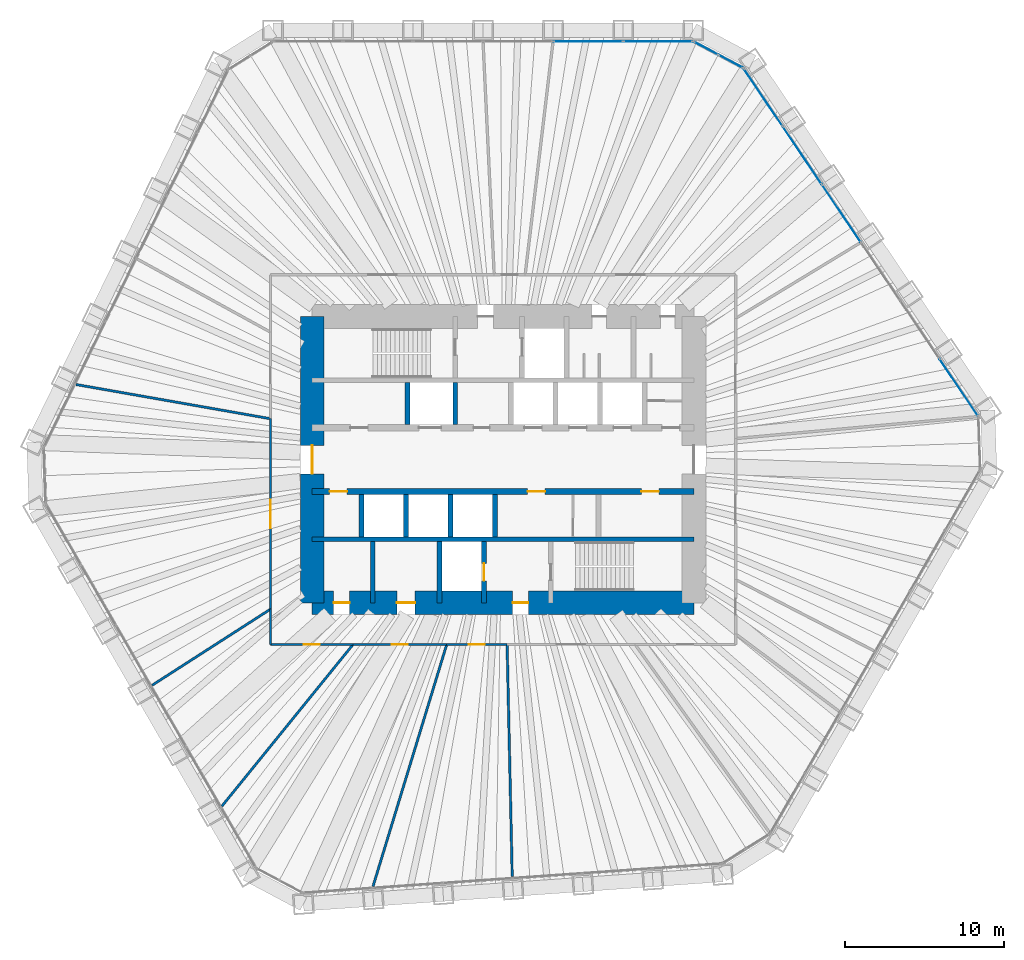
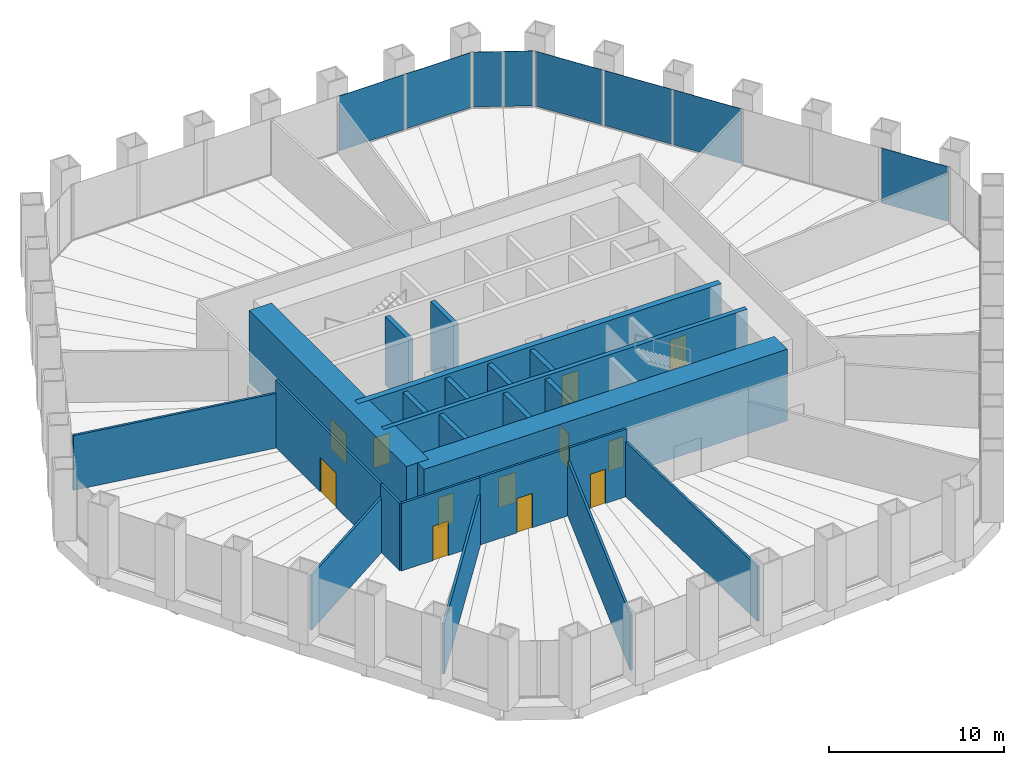
# One storey, part 10 of 13: 23 walls, 12 doors, 8 plates, 12 openings, 3 elements without a shape of their own.
"""IFC4 building model written with IfcOpenShell, lengths in metres."""

from ifc_helpers import new_model, si_unit, direction, frame, frame_2d, origin, origin_2d, place, context, subcontext, project, spatial, rectangle, extrude, material, layer, layer_set, type_object, element, fill, aggregate, save


model = new_model("IFC4")

# Units and contexts
model_context = context("Model", 3, precision=1e-05, world=origin(), true_north=direction((0.0, 1.0)))
body_context = subcontext(model_context, "Body", "Model", "MODEL_VIEW")
ifc_project = project(units=[si_unit("LENGTHUNIT", "METRE"), si_unit("AREAUNIT", "SQUARE_METRE"), si_unit("VOLUMEUNIT", "CUBIC_METRE"), si_unit("PLANEANGLEUNIT", "RADIAN"), si_unit("MASSUNIT", "GRAM", prefix="KILO")], contexts=[model_context])

# Site, building, storey
site_placement = place(None, origin())
site = spatial("IfcSite", under=ifc_project, at=site_placement, CompositionType="ELEMENT")
building_placement = place(site_placement, origin())
building = spatial("IfcBuilding", under=site, at=building_placement, Name="Qingtian Harvest Tower", CompositionType="ELEMENT")
storey_placement = place(building_placement, frame((0.0, 0.0, 92.0)))
storey = spatial("IfcBuildingStorey", under=building, at=storey_placement, Name="L18", CompositionType="ELEMENT", Elevation=92.0)

# Curtain wall, plates
ifc_material_1 = material(Name="Bronze-anodised aluminium curtain wall", Category="aluminium")
curtain_wall_type = type_object("IfcCurtainWallType", Name="Curtain wall CW2 farm reception", PredefinedType="USERDEFINED", material=ifc_material_1)
curtain_wall_1_placement = place(storey_placement, origin())
curtain_wall_1 = element("IfcCurtainWall", 1, at=curtain_wall_1_placement, inside=storey, type_object=curtain_wall_type, Name="Curtain wall CW2 L18 N0-5", ObjectType="RECESSED CURTAIN WALL", PredefinedType="USERDEFINED")
ifc_material_2 = material(Name="Bronze-tinted laminated insulating glass", Category="glass")
ifc_layer_1 = layer(ifc_material_2, 0.030029296875)
ifc_layer_set_1 = layer_set([ifc_layer_1], Name="Glazed panel CWP tinted IGU")
plate_type = type_object("IfcPlateType", Name="Glazed panel CWP tinted IGU", PredefinedType="CURTAIN_PANEL", material=ifc_layer_set_1)
plate_1_placement = place(storey_placement, frame((5.349365234375, 26.300048828125, 0.06494140625), z_axis=(0.0, 0.0, 1.0), x_axis=(1.0, 0.0, 0.0)))
plate_1 = element("IfcPlate", 2, at=plate_1_placement, type_object=plate_type, Name="CW2 panel 5.1", PredefinedType="CURTAIN_PANEL", context=body_context, shape_type="SweptSolid", body=[
    extrude(rectangle(XDim=4.339599609375, YDim=0.030029296875, at=origin_2d()), origin(), (0.0, 0.0, 1.0), 3.8349609375),
])
plate_2_placement = place(storey_placement, frame((9.737548828125, 26.300048828125, 0.06494140625), z_axis=(0.0, 0.0, 1.0), x_axis=(1.0, 0.0, 0.0)))
plate_2 = element("IfcPlate", 3, at=plate_2_placement, type_object=plate_type, Name="CW2 panel 6.1", PredefinedType="CURTAIN_PANEL", context=body_context, shape_type="SweptSolid", body=[
    extrude(rectangle(XDim=4.30712890625, YDim=0.030029296875, at=origin_2d()), origin(), (0.0, 0.0, 1.0), 3.8349609375),
])
aggregate(curtain_wall_1, [plate_1, plate_2])

curtain_wall_2_placement = place(storey_placement, origin())
curtain_wall_2 = element("IfcCurtainWall", 4, at=curtain_wall_2_placement, inside=storey, type_object=curtain_wall_type, Name="Curtain wall CW2 L18 NC", ObjectType="RECESSED CURTAIN WALL", PredefinedType="USERDEFINED")
plate_3_placement = place(storey_placement, frame((12.760986328125, 25.8720703125, 0.06494140625), z_axis=(0.0, 0.0, 1.0), x_axis=(0.882947592859, -0.469471562786, 0.0)))
plate_3 = element("IfcPlate", 5, at=plate_3_placement, type_object=plate_type, Name="CW2 panel 1.1", PredefinedType="CURTAIN_PANEL", context=body_context, shape_type="SweptSolid", body=[
    extrude(rectangle(XDim=1.69287109375, YDim=0.030029296875, at=origin_2d()), origin(), (0.0, 0.0, 1.0), 3.8349609375),
])
plate_4_placement = place(storey_placement, frame((14.31298828125, 25.046875, 0.06494140625), z_axis=(0.0, 0.0, 1.0), x_axis=(0.882947592859, -0.469471562786, 0.0)))
plate_4 = element("IfcPlate", 6, at=plate_4_placement, type_object=plate_type, Name="CW2 panel 2.1", PredefinedType="CURTAIN_PANEL", context=body_context, shape_type="SweptSolid", body=[
    extrude(rectangle(XDim=1.69287109375, YDim=0.030029296875, at=origin_2d()), origin(), (0.0, 0.0, 1.0), 3.8349609375),
])
aggregate(curtain_wall_2, [plate_3, plate_4])

curtain_wall_3_placement = place(storey_placement, origin())
curtain_wall_3 = element("IfcCurtainWall", 7, at=curtain_wall_3_placement, inside=storey, type_object=curtain_wall_type, Name="Curtain wall CW2 L18 NE0-5", ObjectType="RECESSED CURTAIN WALL", PredefinedType="USERDEFINED")
plate_5_placement = place(storey_placement, frame((16.3583984375, 22.779541015625, 0.06494140625), z_axis=(0.0, 0.0, 1.0), x_axis=(0.559192903471, -0.829037572555, 0.0)))
plate_5 = element("IfcPlate", 8, at=plate_5_placement, type_object=plate_type, Name="CW2 panel 1.1", PredefinedType="CURTAIN_PANEL", context=body_context, shape_type="SweptSolid", body=[
    extrude(rectangle(XDim=4.30712890625, YDim=0.030029296875, at=origin_2d()), origin(), (0.0, 0.0, 1.0), 3.8349609375),
])
plate_6_placement = place(storey_placement, frame((18.8125, 19.1416015625, 0.06494140625), z_axis=(0.0, 0.0, 1.0), x_axis=(0.559192903471, -0.829037572555, 0.0)))
plate_6 = element("IfcPlate", 9, at=plate_6_placement, type_object=plate_type, Name="CW2 panel 2.1", PredefinedType="CURTAIN_PANEL", context=body_context, shape_type="SweptSolid", body=[
    extrude(rectangle(XDim=4.339599609375, YDim=0.030029296875, at=origin_2d()), origin(), (0.0, 0.0, 1.0), 3.8349609375),
])
plate_7_placement = place(storey_placement, frame((21.275390625, 15.489990234375, 0.06494140625), z_axis=(0.0, 0.0, 1.0), x_axis=(0.559192903471, -0.829037572555, 0.0)))
plate_7 = element("IfcPlate", 10, at=plate_7_placement, type_object=plate_type, Name="CW2 panel 3.1", PredefinedType="CURTAIN_PANEL", context=body_context, shape_type="SweptSolid", body=[
    extrude(rectangle(XDim=4.339599609375, YDim=0.030029296875, at=origin_2d()), origin(), (0.0, 0.0, 1.0), 3.8349609375),
])
plate_8_placement = place(storey_placement, frame((28.655517578125, 4.548583984375, 0.06494140625), z_axis=(0.0, 0.0, 1.0), x_axis=(0.559192903471, -0.829037572555, 0.0)))
plate_8 = element("IfcPlate", 11, at=plate_8_placement, type_object=plate_type, Name="CW2 panel 6.1", PredefinedType="CURTAIN_PANEL", context=body_context, shape_type="SweptSolid", body=[
    extrude(rectangle(XDim=4.30712890625, YDim=0.030029296875, at=origin_2d()), origin(), (0.0, 0.0, 1.0), 3.8349609375),
])
aggregate(curtain_wall_3, [plate_5, plate_6, plate_7, plate_8])

# Wall
ifc_material_3 = material(Name="Concrete fc' 70 MPa", Category="concrete")
ifc_layer_2 = layer(ifc_material_3, 0.300048828125)
ifc_layer_set_2 = layer_set([ifc_layer_2], Name="Core inner wall RC5 300")
wall_type_1 = type_object("IfcWallType", Name="Core inner wall RC5 300", PredefinedType="SHEAR", material=ifc_layer_set_2)
wall_1_placement = place(storey_placement, frame((-12.0, -5.0, 0.0), z_axis=(0.0, 0.0, 1.0), x_axis=(1.0, 0.0, 0.0)))
element("IfcWall", 12, at=wall_1_placement, inside=storey, type_object=wall_type_1, Name="Core wall IS5 L18", PredefinedType="SHEAR", context=body_context, shape_type="SweptSolid", body=[
    extrude(rectangle(XDim=24.0, YDim=0.300048828125, at=frame_2d((12.0, 0.0))), origin(), (0.0, 0.0, 1.0), 5.0),
])

# Wall, openings, doors
ifc_material_4 = material(Name="Concrete fc' 70 MPa", Category="concrete")
ifc_layer_3 = layer(ifc_material_4, 0.39990234375)
ifc_layer_set_3 = layer_set([ifc_layer_3], Name="Core inner web RC6 400")
wall_type_2 = type_object("IfcWallType", Name="Core inner web RC6 400", PredefinedType="SHEAR", material=ifc_layer_set_3)
wall_2_placement = place(storey_placement, frame((-12.0, -2.0, 0.0), z_axis=(0.0, 0.0, 1.0), x_axis=(1.0, 0.0, 0.0)))
wall_2 = element("IfcWall", 13, at=wall_2_placement, inside=storey, type_object=wall_type_2, Name="Core wall IS2 L18", PredefinedType="SHEAR", context=body_context, shape_type="SweptSolid", body=[
    extrude(rectangle(XDim=24.0, YDim=0.39990234375, at=frame_2d((12.0, 0.0))), origin(), (0.0, 0.0, 1.0), 5.0),
])
opening_1_placement = place(wall_2_placement, frame((1.10009765625, 0.0, 0.0)))
opening_1 = element("IfcOpeningElement", 14, at=opening_1_placement, cuts=wall_2, Name="Opening FD4", PredefinedType="OPENING", context=body_context, shape_type="SweptSolid", body=[
    extrude(rectangle(XDim=1.10009765625, YDim=2.10009765625, at=frame_2d((0.550048828125, 1.050048828125))), frame((0.0, 0.2099609375, 0.0), z_axis=(0.0, -1.0, 0.0), x_axis=(1.0, 0.0, 0.0)), (0.0, 0.0, 1.0), 0.419921875),
])
opening_2_placement = place(wall_2_placement, frame((13.550048828125, 0.0, 0.0)))
opening_2 = element("IfcOpeningElement", 15, at=opening_2_placement, cuts=wall_2, Name="Opening FD4", PredefinedType="OPENING", context=body_context, shape_type="SweptSolid", body=[
    extrude(rectangle(XDim=1.10009765625, YDim=2.10009765625, at=frame_2d((0.550048828125, 1.050048828125))), frame((0.0, 0.2099609375, 0.0), z_axis=(0.0, -1.0, 0.0), x_axis=(1.0, 0.0, 0.0)), (0.0, 0.0, 1.0), 0.419921875),
])
opening_3_placement = place(wall_2_placement, frame((20.699951171875, 0.0, 0.0)))
opening_3 = element("IfcOpeningElement", 16, at=opening_3_placement, cuts=wall_2, Name="Opening FD4", PredefinedType="OPENING", context=body_context, shape_type="SweptSolid", body=[
    extrude(rectangle(XDim=1.10009765625, YDim=2.10009765625, at=frame_2d((0.550048828125, 1.050048828125))), frame((0.0, 0.2099609375, 0.0), z_axis=(0.0, -1.0, 0.0), x_axis=(1.0, 0.0, 0.0)), (0.0, 0.0, 1.0), 0.419921875),
])
ifc_material_5 = material(Name="Steel-faced door leaf", Category="steel")
door_type_1 = type_object("IfcDoorType", Name="Fire door FD4 single 2 HR", OperationType="SINGLE_SWING_LEFT", PredefinedType="DOOR", material=ifc_material_5)
door_1_placement = place(opening_1_placement, origin())
door_1 = element("IfcDoor", 17, at=door_1_placement, inside=storey, type_object=door_type_1, Name="RB door L18", OperationType="SINGLE_SWING_LEFT", OverallHeight=2.10009765625, OverallWidth=1.10009765625, PredefinedType="DOOR", context=body_context, shape_type="SweptSolid", body=[
    extrude(rectangle(XDim=1.10009765625, YDim=2.10009765625, at=frame_2d((0.550048828125, 1.050048828125))), frame((0.0, 0.02490234375, 0.0), z_axis=(0.0, -1.0, 0.0), x_axis=(1.0, 0.0, 0.0)), (0.0, 0.0, 1.0), 0.050048828125),
])
fill(opening_1, door_1)
door_2_placement = place(opening_2_placement, origin())
door_2 = element("IfcDoor", 18, at=door_2_placement, inside=storey, type_object=door_type_1, Name="ELEC door L18", OperationType="SINGLE_SWING_LEFT", OverallHeight=2.10009765625, OverallWidth=1.10009765625, PredefinedType="DOOR", context=body_context, shape_type="SweptSolid", body=[
    extrude(rectangle(XDim=1.10009765625, YDim=2.10009765625, at=frame_2d((0.550048828125, 1.050048828125))), frame((0.0, 0.02490234375, 0.0), z_axis=(0.0, -1.0, 0.0), x_axis=(1.0, 0.0, 0.0)), (0.0, 0.0, 1.0), 0.050048828125),
])
fill(opening_2, door_2)
door_3_placement = place(opening_3_placement, origin())
door_3 = element("IfcDoor", 19, at=door_3_placement, inside=storey, type_object=door_type_1, Name="DUCT door L18", OperationType="SINGLE_SWING_RIGHT", OverallHeight=2.10009765625, OverallWidth=1.10009765625, PredefinedType="DOOR", context=body_context, shape_type="SweptSolid", body=[
    extrude(rectangle(XDim=1.10009765625, YDim=2.10009765625, at=frame_2d((0.550048828125, 1.050048828125))), frame((0.0, 0.02490234375, 0.0), z_axis=(0.0, -1.0, 0.0), x_axis=(1.0, 0.0, 0.0)), (0.0, 0.0, 1.0), 0.050048828125),
])
fill(opening_3, door_3)

# Walls
ifc_material_6 = material(Name="Precast concrete shaft panel", Category="concrete")
ifc_layer_4 = layer(ifc_material_6, 0.300048828125)
ifc_layer_set_4 = layer_set([ifc_layer_4], Name="Core shaft partition SW1 300")
wall_type_3 = type_object("IfcWallType", Name="Core shaft partition SW1 300", PredefinedType="PARTITIONING", material=ifc_layer_set_4)
for number, where, z_axis, x_axis, name in (
    (20, (-6.0, 2.199951171875, 0.0), (0.0, 0.0, 1.0), (0.0, 1.0, 0.0), "Core shaft partition XA1 L18"),
    (21, (-3.0, 2.199951171875, 0.0), (0.0, 0.0, 1.0), (0.0, 1.0, 0.0), "Core shaft partition XA2 L18"),
    (22, (-8.89990234375, -4.85009765625, 0.0), (0.0, 0.0, 1.0), (0.0, 1.0, 0.0), "Core shaft partition XB1 L18"),
    (23, (-6.10009765625, -4.85009765625, 0.0), (0.0, 0.0, 1.0), (0.0, 1.0, 0.0), "Core shaft partition XB2 L18"),
    (24, (-3.300048828125, -4.85009765625, 0.0), (0.0, 0.0, 1.0), (0.0, 1.0, 0.0), "Core shaft partition XB3 L18"),
    (25, (-0.5, -4.85009765625, 0.0), (0.0, 0.0, 1.0), (0.0, 1.0, 0.0), "Core shaft partition XB4 L18"),
):
    element("IfcWall", number, at=place(storey_placement, frame(where, z_axis=z_axis, x_axis=x_axis)), inside=storey, type_object=wall_type_3, Name=name, PredefinedType="PARTITIONING", context=body_context, shape_type="SweptSolid", body=[
        extrude(rectangle(XDim=2.650146484375, YDim=0.300048828125, at=frame_2d((1.3251953125, 0.0))), origin(), (0.0, 0.0, 1.0), 4.780029296875),
    ])
for number, where, z_axis, x_axis, name in (
    (26, (-8.199951171875, -9.0, 0.0), (0.0, 0.0, 1.0), (0.0, 1.0, 0.0), "Core shaft partition XS1 L18"),
    (27, (-4.0, -9.0, 0.0), (0.0, 0.0, 1.0), (0.0, 1.0, 0.0), "Core shaft partition XS2 L18"),
):
    element("IfcWall", number, at=place(storey_placement, frame(where, z_axis=z_axis, x_axis=x_axis)), inside=storey, type_object=wall_type_3, Name=name, PredefinedType="PARTITIONING", context=body_context, shape_type="SweptSolid", body=[
        extrude(rectangle(XDim=3.85009765625, YDim=0.300048828125, at=frame_2d((1.925048828125, 0.0))), origin(), (0.0, 0.0, 1.0), 4.780029296875),
    ])

# Wall, opening, door
wall_3_placement = place(storey_placement, frame((-1.199951171875, -9.0, 0.0), z_axis=(0.0, 0.0, 1.0), x_axis=(0.0, 1.0, 0.0)))
wall_3 = element("IfcWall", 28, at=wall_3_placement, inside=storey, type_object=wall_type_3, Name="Core shaft partition XS3 L18", PredefinedType="PARTITIONING", context=body_context, shape_type="SweptSolid", body=[
    extrude(rectangle(XDim=3.85009765625, YDim=0.300048828125, at=frame_2d((1.925048828125, 0.0))), origin(), (0.0, 0.0, 1.0), 4.780029296875),
])
opening_4_placement = place(wall_3_placement, frame((1.375, 0.0, 0.0)))
opening_4 = element("IfcOpeningElement", 29, at=opening_4_placement, cuts=wall_3, Name="Opening LD1", PredefinedType="OPENING", context=body_context, shape_type="SweptSolid", body=[
    extrude(rectangle(XDim=1.10009765625, YDim=2.39990234375, at=frame_2d((0.550048828125, 1.199951171875))), frame((0.0, 0.159912109375, 0.0), z_axis=(0.0, -1.0, 0.0), x_axis=(1.0, 0.0, 0.0)), (0.0, 0.0, 1.0), 0.320068359375),
])
ifc_material_7 = material(Name="Stainless steel lift landing door", Category="steel")
door_type_2 = type_object("IfcDoorType", Name="Lift landing door LD1 1 HR", OperationType="DOUBLE_DOOR_SLIDING", PredefinedType="DOOR", material=ifc_material_7)
door_4_placement = place(opening_4_placement, origin())
door_4 = element("IfcDoor", 30, at=door_4_placement, inside=storey, type_object=door_type_2, Name="FL2 landing door L18", OperationType="DOUBLE_DOOR_SLIDING", OverallHeight=2.39990234375, OverallWidth=1.10009765625, PredefinedType="DOOR", context=body_context, shape_type="SweptSolid", body=[
    extrude(rectangle(XDim=1.10009765625, YDim=2.39990234375, at=frame_2d((0.550048828125, 1.199951171875))), frame((0.0, 0.02490234375, 0.0), z_axis=(0.0, -1.0, 0.0), x_axis=(1.0, 0.0, 0.0)), (0.0, 0.0, 1.0), 0.050048828125),
])
fill(opening_4, door_4)

# Wall, openings, doors
ifc_material_8 = material(Name="Concrete fc' 70 MPa", Category="concrete")
ifc_layer_5 = layer(ifc_material_8, 1.5)
ifc_layer_set_5 = layer_set([ifc_layer_5], Name="Core wall RC1 1500")
wall_type_4 = type_object("IfcWallType", Name="Core wall RC1 1500", PredefinedType="SHEAR", material=ifc_layer_set_5)
wall_4_placement = place(storey_placement, frame((-12.0, -9.0, 0.0), z_axis=(0.0, 0.0, 1.0), x_axis=(1.0, 0.0, 0.0)))
wall_4 = element("IfcWall", 31, at=wall_4_placement, inside=storey, type_object=wall_type_4, Name="Core wall CS L18", PredefinedType="SHEAR", context=body_context, shape_type="SweptSolid", body=[
    extrude(rectangle(XDim=24.0, YDim=1.5, at=frame_2d((12.0, 0.0))), origin(), (0.0, 0.0, 1.0), 5.0),
])
opening_5_placement = place(wall_4_placement, frame((1.35009765625, 0.0, 0.0)))
opening_5 = element("IfcOpeningElement", 32, at=opening_5_placement, cuts=wall_4, Name="Opening FD1", PredefinedType="OPENING", context=body_context, shape_type="SweptSolid", body=[
    extrude(rectangle(XDim=1.0, YDim=2.10009765625, at=frame_2d((0.5, 1.050048828125))), frame((0.0, 0.760009765625, 0.0), z_axis=(0.0, -1.0, 0.0), x_axis=(1.0, 0.0, 0.0)), (0.0, 0.0, 1.0), 1.52001953125),
])
opening_6_placement = place(wall_4_placement, frame((5.324951171875, 0.0, 0.0)))
opening_6 = element("IfcOpeningElement", 33, at=opening_6_placement, cuts=wall_4, Name="Opening AD1", PredefinedType="OPENING", context=body_context, shape_type="SweptSolid", body=[
    extrude(rectangle(XDim=1.14990234375, YDim=2.10009765625, at=frame_2d((0.574951171875, 1.050048828125))), frame((0.0, 0.760009765625, 0.0), z_axis=(0.0, -1.0, 0.0), x_axis=(1.0, 0.0, 0.0)), (0.0, 0.0, 1.0), 1.52001953125),
])
opening_7_placement = place(wall_4_placement, frame((12.60009765625, 0.0, 0.0)))
opening_7 = element("IfcOpeningElement", 34, at=opening_7_placement, cuts=wall_4, Name="Opening FD1", PredefinedType="OPENING", context=body_context, shape_type="SweptSolid", body=[
    extrude(rectangle(XDim=1.0, YDim=2.10009765625, at=frame_2d((0.5, 1.050048828125))), frame((0.0, 0.760009765625, 0.0), z_axis=(0.0, -1.0, 0.0), x_axis=(1.0, 0.0, 0.0)), (0.0, 0.0, 1.0), 1.52001953125),
])
ifc_material_9 = material(Name="Laminated timber door leaf", Category="wood")
door_type_3 = type_object("IfcDoorType", Name="Accessible WC door AD1 single", OperationType="SINGLE_SWING_LEFT", PredefinedType="DOOR", material=ifc_material_9)
door_5_placement = place(opening_6_placement, origin())
door_5 = element("IfcDoor", 35, at=door_5_placement, inside=storey, type_object=door_type_3, Name="AWC door L18", OperationType="SINGLE_SWING_LEFT", OverallHeight=2.10009765625, OverallWidth=1.14990234375, PredefinedType="DOOR", context=body_context, shape_type="SweptSolid", body=[
    extrude(rectangle(XDim=1.14990234375, YDim=2.10009765625, at=frame_2d((0.574951171875, 1.050048828125))), frame((0.0, 0.02490234375, 0.0), z_axis=(0.0, -1.0, 0.0), x_axis=(1.0, 0.0, 0.0)), (0.0, 0.0, 1.0), 0.050048828125),
])
fill(opening_6, door_5)
ifc_material_10 = material(Name="Steel-faced door leaf", Category="steel")
door_type_4 = type_object("IfcDoorType", Name="Fire door FD1 single 1 HR", OperationType="SINGLE_SWING_LEFT", PredefinedType="DOOR", material=ifc_material_10)
door_6_placement = place(opening_5_placement, origin())
door_6 = element("IfcDoor", 36, at=door_6_placement, inside=storey, type_object=door_type_4, Name="CLN door L18", OperationType="SINGLE_SWING_RIGHT", OverallHeight=2.10009765625, OverallWidth=1.0, PredefinedType="DOOR", context=body_context, shape_type="SweptSolid", body=[
    extrude(rectangle(XDim=1.0, YDim=2.10009765625, at=frame_2d((0.5, 1.050048828125))), frame((0.0, 0.02490234375, 0.0), z_axis=(0.0, -1.0, 0.0), x_axis=(1.0, 0.0, 0.0)), (0.0, 0.0, 1.0), 0.050048828125),
])
fill(opening_5, door_6)
door_7_placement = place(opening_7_placement, origin())
door_7 = element("IfcDoor", 37, at=door_7_placement, inside=storey, type_object=door_type_4, Name="V2 door L18", OperationType="SINGLE_SWING_RIGHT", OverallHeight=2.10009765625, OverallWidth=1.0, PredefinedType="DOOR", context=body_context, shape_type="SweptSolid", body=[
    extrude(rectangle(XDim=1.0, YDim=2.10009765625, at=frame_2d((0.5, 1.050048828125))), frame((0.0, 0.02490234375, 0.0), z_axis=(0.0, -1.0, 0.0), x_axis=(1.0, 0.0, 0.0)), (0.0, 0.0, 1.0), 0.050048828125),
])
fill(opening_7, door_7)

# Wall, opening, door
wall_5_placement = place(storey_placement, frame((-12.0, -9.0, 0.0), z_axis=(0.0, 0.0, 1.0), x_axis=(0.0, 1.0, 0.0)))
wall_5 = element("IfcWall", 38, at=wall_5_placement, inside=storey, type_object=wall_type_4, Name="Core wall CW L18", PredefinedType="SHEAR", context=body_context, shape_type="SweptSolid", body=[
    extrude(rectangle(XDim=18.0, YDim=1.5, at=frame_2d((9.0, 0.0))), origin(), (0.0, 0.0, 1.0), 5.0),
])
opening_8_placement = place(wall_5_placement, frame((8.10009765625, 0.0, 0.0)))
opening_8 = element("IfcOpeningElement", 39, at=opening_8_placement, cuts=wall_5, Name="Opening FD2", PredefinedType="OPENING", context=body_context, shape_type="SweptSolid", body=[
    extrude(rectangle(XDim=1.800048828125, YDim=2.10009765625, at=frame_2d((0.89990234375, 1.050048828125))), frame((0.0, 0.760009765625, 0.0), z_axis=(0.0, -1.0, 0.0), x_axis=(1.0, 0.0, 0.0)), (0.0, 0.0, 1.0), 1.52001953125),
])
ifc_material_11 = material(Name="Steel-faced door leaf", Category="steel")
door_type_5 = type_object("IfcDoorType", Name="Fire door FD2 double 1 HR", OperationType="DOUBLE_DOOR_DOUBLE_SWING", PredefinedType="DOOR", material=ifc_material_11)
door_8_placement = place(opening_8_placement, origin())
door_8 = element("IfcDoor", 40, at=door_8_placement, inside=storey, type_object=door_type_5, Name="LOBBY-W door L18", OperationType="DOUBLE_DOOR_DOUBLE_SWING", OverallHeight=2.10009765625, OverallWidth=1.800048828125, PredefinedType="DOOR", context=body_context, shape_type="SweptSolid", body=[
    extrude(rectangle(XDim=1.800048828125, YDim=2.10009765625, at=frame_2d((0.89990234375, 1.050048828125))), frame((0.0, 0.02490234375, 0.0), z_axis=(0.0, -1.0, 0.0), x_axis=(1.0, 0.0, 0.0)), (0.0, 0.0, 1.0), 0.050048828125),
])
fill(opening_8, door_8)

# Wall
ifc_material_12 = material(Name="Gypsum board on steel studs", Category="steel")
ifc_layer_6 = layer(ifc_material_12, 0.14990234375)
ifc_layer_set_6 = layer_set([ifc_layer_6], Name="Partition PT1 150")
wall_type_5 = type_object("IfcWallType", Name="Partition PT1 150", PredefinedType="PARTITIONING", material=ifc_layer_set_6)
wall_6_placement = place(storey_placement, frame((-22.0634765625, -14.18505859375, 0.0), z_axis=(0.0, 0.0, 1.0), x_axis=(0.841147976126, 0.540805031651, 0.0)))
element("IfcWall", 41, at=wall_6_placement, inside=storey, type_object=wall_type_5, Name="Grower training room wall L18", PredefinedType="PARTITIONING", context=body_context, shape_type="SweptSolid", body=[
    extrude(rectangle(XDim=8.84326171875, YDim=0.14990234375, at=frame_2d((4.421630859375, 0.0))), origin(), (0.0, 0.0, 1.0), 3.820068359375),
])

# Wall, opening, door
wall_7_placement = place(storey_placement, frame((-14.625, -9.402587890625, 0.0), z_axis=(0.0, 0.0, 1.0), x_axis=(0.0, 1.0, 0.0)))
wall_7 = element("IfcWall", 42, at=wall_7_placement, inside=storey, type_object=wall_type_5, Name="Grower training room wall L18", PredefinedType="PARTITIONING", context=body_context, shape_type="SweptSolid", body=[
    extrude(rectangle(XDim=11.97607421875, YDim=0.14990234375, at=frame_2d((5.988037109375, 0.0))), origin(), (0.0, 0.0, 1.0), 4.719970703125),
])
opening_9_placement = place(wall_7_placement, frame((5.088134765625, 0.0, 0.0)))
opening_9 = element("IfcOpeningElement", 43, at=opening_9_placement, cuts=wall_7, Name="Opening D3", PredefinedType="OPENING", context=body_context, shape_type="SweptSolid", body=[
    extrude(rectangle(XDim=1.800048828125, YDim=2.39990234375, at=frame_2d((0.89990234375, 1.199951171875))), frame((0.0, 0.0849609375, 0.0), z_axis=(0.0, -1.0, 0.0), x_axis=(1.0, 0.0, 0.0)), (0.0, 0.0, 1.0), 0.169921875),
])
ifc_material_13 = material(Name="Laminated timber door leaf", Category="wood")
door_type_6 = type_object("IfcDoorType", Name="Room door D3 double", OperationType="DOUBLE_DOOR_DOUBLE_SWING", PredefinedType="DOOR", material=ifc_material_13)
door_9_placement = place(opening_9_placement, origin())
door_9 = element("IfcDoor", 44, at=door_9_placement, inside=storey, type_object=door_type_6, Name="Grower training room door L18", OperationType="DOUBLE_DOOR_DOUBLE_SWING", OverallHeight=2.39990234375, OverallWidth=1.800048828125, PredefinedType="DOOR", context=body_context, shape_type="SweptSolid", body=[
    extrude(rectangle(XDim=1.800048828125, YDim=2.39990234375, at=frame_2d((0.89990234375, 1.199951171875))), frame((0.0, 0.02490234375, 0.0), z_axis=(0.0, -1.0, 0.0), x_axis=(1.0, 0.0, 0.0)), (0.0, 0.0, 1.0), 0.050048828125),
])
fill(opening_9, door_9)

# Walls
wall_8_placement = place(storey_placement, frame((-26.85009765625, 4.724609375, 0.0), z_axis=(0.0, 0.0, 1.0), x_axis=(0.984869569104, -0.173297235559, 0.0)))
element("IfcWall", 45, at=wall_8_placement, inside=storey, type_object=wall_type_5, Name="Seminar room wall L18", PredefinedType="PARTITIONING", context=body_context, shape_type="SweptSolid", body=[
    extrude(rectangle(XDim=12.412841796875, YDim=0.14990234375, at=frame_2d((6.20654296875, 0.0))), origin(), (0.0, 0.0, 1.0), 3.820068359375),
])
wall_9_placement = place(storey_placement, frame((0.577880859375, -26.2236328125, 0.0), z_axis=(0.0, 0.0, 1.0), x_axis=(-0.02203625582, 0.999757172232, 0.0)))
element("IfcWall", 46, at=wall_9_placement, inside=storey, type_object=wall_type_5, Name="Instructors' office wall L18", PredefinedType="PARTITIONING", context=body_context, shape_type="SweptSolid", body=[
    extrude(rectangle(XDim=14.602294921875, YDim=0.14990234375, at=frame_2d((7.30126953125, 0.0))), origin(), (0.0, 0.0, 1.0), 3.820068359375),
])

# Wall, opening, door
wall_10_placement = place(storey_placement, frame((0.256103515625, -11.625, 0.0), z_axis=(0.0, 0.0, 1.0), x_axis=(-1.0, 0.0, 0.0)))
wall_10 = element("IfcWall", 47, at=wall_10_placement, inside=storey, type_object=wall_type_5, Name="Instructors' office wall L18", PredefinedType="PARTITIONING", context=body_context, shape_type="SweptSolid", body=[
    extrude(rectangle(XDim=3.798095703125, YDim=0.14990234375, at=frame_2d((1.89892578125, 0.0))), origin(), (0.0, 0.0, 1.0), 4.719970703125),
])
opening_10_placement = place(wall_10_placement, frame((1.399169921875, 0.0, 0.0)))
opening_10 = element("IfcOpeningElement", 48, at=opening_10_placement, cuts=wall_10, Name="Opening D2", PredefinedType="OPENING", context=body_context, shape_type="SweptSolid", body=[
    extrude(rectangle(XDim=1.0, YDim=2.39990234375, at=frame_2d((0.5, 1.199951171875))), frame((0.0, 0.0849609375, 0.0), z_axis=(0.0, -1.0, 0.0), x_axis=(1.0, 0.0, 0.0)), (0.0, 0.0, 1.0), 0.169921875),
])
ifc_material_14 = material(Name="Laminated timber door leaf", Category="wood")
door_type_7 = type_object("IfcDoorType", Name="Room door D2 single", OperationType="SINGLE_SWING_LEFT", PredefinedType="DOOR", material=ifc_material_14)
door_10_placement = place(opening_10_placement, origin())
door_10 = element("IfcDoor", 49, at=door_10_placement, inside=storey, type_object=door_type_7, Name="Instructors' office door L18", OperationType="SINGLE_SWING_RIGHT", OverallHeight=2.39990234375, OverallWidth=1.0, PredefinedType="DOOR", context=body_context, shape_type="SweptSolid", body=[
    extrude(rectangle(XDim=1.0, YDim=2.39990234375, at=frame_2d((0.5, 1.199951171875))), frame((0.0, 0.02490234375, 0.0), z_axis=(0.0, -1.0, 0.0), x_axis=(1.0, 0.0, 0.0)), (0.0, 0.0, 1.0), 0.050048828125),
])
fill(opening_10, door_10)

# Wall
wall_11_placement = place(storey_placement, frame((-8.1787109375, -26.842529296875, 0.0), z_axis=(0.0, 0.0, 1.0), x_axis=(0.291466333136, 0.956581087336, 0.0)))
element("IfcWall", 50, at=wall_11_placement, inside=storey, type_object=wall_type_5, Name="Harvest wash room wall L18", PredefinedType="PARTITIONING", context=body_context, shape_type="SweptSolid", body=[
    extrude(rectangle(XDim=15.908203125, YDim=0.14990234375, at=frame_2d((7.9541015625, 0.0))), origin(), (0.0, 0.0, 1.0), 3.820068359375),
])

# Wall, opening, door
wall_12_placement = place(storey_placement, frame((-3.5419921875, -11.625, 0.0), z_axis=(0.0, 0.0, 1.0), x_axis=(-1.0, 0.0, 0.0)))
wall_12 = element("IfcWall", 51, at=wall_12_placement, inside=storey, type_object=wall_type_5, Name="Harvest wash room wall L18", PredefinedType="PARTITIONING", context=body_context, shape_type="SweptSolid", body=[
    extrude(rectangle(XDim=5.89013671875, YDim=0.14990234375, at=frame_2d((2.945068359375, 0.0))), origin(), (0.0, 0.0, 1.0), 4.719970703125),
])
opening_11_placement = place(wall_12_placement, frame((2.445068359375, 0.0, 0.0)))
opening_11 = element("IfcOpeningElement", 52, at=opening_11_placement, cuts=wall_12, Name="Opening D2", PredefinedType="OPENING", context=body_context, shape_type="SweptSolid", body=[
    extrude(rectangle(XDim=1.0, YDim=2.39990234375, at=frame_2d((0.5, 1.199951171875))), frame((0.0, 0.0849609375, 0.0), z_axis=(0.0, -1.0, 0.0), x_axis=(1.0, 0.0, 0.0)), (0.0, 0.0, 1.0), 0.169921875),
])
door_11_placement = place(opening_11_placement, origin())
door_11 = element("IfcDoor", 53, at=door_11_placement, inside=storey, type_object=door_type_7, Name="Harvest wash room door L18", OperationType="SINGLE_SWING_LEFT", OverallHeight=2.39990234375, OverallWidth=1.0, PredefinedType="DOOR", context=body_context, shape_type="SweptSolid", body=[
    extrude(rectangle(XDim=1.0, YDim=2.39990234375, at=frame_2d((0.5, 1.199951171875))), frame((0.0, 0.02490234375, 0.0), z_axis=(0.0, -1.0, 0.0), x_axis=(1.0, 0.0, 0.0)), (0.0, 0.0, 1.0), 0.050048828125),
])
fill(opening_11, door_11)

# Wall
wall_13_placement = place(storey_placement, frame((-17.679931640625, -21.79052734375, 0.0), z_axis=(0.0, 0.0, 1.0), x_axis=(0.630054650118, 0.776550795418, 0.0)))
element("IfcWall", 54, at=wall_13_placement, inside=storey, type_object=wall_type_5, Name="Microgreens growing room wall L18", PredefinedType="PARTITIONING", context=body_context, shape_type="SweptSolid", body=[
    extrude(rectangle(XDim=13.090576171875, YDim=0.14990234375, at=frame_2d((6.54541015625, 0.0))), origin(), (0.0, 0.0, 1.0), 3.52001953125),
])

# Wall, opening, door
wall_14_placement = place(storey_placement, frame((-9.43212890625, -11.625, 0.0), z_axis=(0.0, 0.0, 1.0), x_axis=(-1.0, 0.0, 0.0)))
wall_14 = element("IfcWall", 55, at=wall_14_placement, inside=storey, type_object=wall_type_5, Name="Microgreens growing room wall L18", PredefinedType="PARTITIONING", context=body_context, shape_type="SweptSolid", body=[
    extrude(rectangle(XDim=5.19287109375, YDim=0.14990234375, at=frame_2d((2.596435546875, 0.0))), origin(), (0.0, 0.0, 1.0), 4.719970703125),
])
opening_12_placement = place(wall_14_placement, frame((2.096435546875, 0.0, 0.0)))
opening_12 = element("IfcOpeningElement", 56, at=opening_12_placement, cuts=wall_14, Name="Opening D2", PredefinedType="OPENING", context=body_context, shape_type="SweptSolid", body=[
    extrude(rectangle(XDim=1.0, YDim=2.39990234375, at=frame_2d((0.5, 1.199951171875))), frame((0.0, 0.0849609375, 0.0), z_axis=(0.0, -1.0, 0.0), x_axis=(1.0, 0.0, 0.0)), (0.0, 0.0, 1.0), 0.169921875),
])
door_12_placement = place(opening_12_placement, origin())
door_12 = element("IfcDoor", 57, at=door_12_placement, inside=storey, type_object=door_type_7, Name="Microgreens growing room door L18", OperationType="SINGLE_SWING_LEFT", OverallHeight=2.39990234375, OverallWidth=1.0, PredefinedType="DOOR", context=body_context, shape_type="SweptSolid", body=[
    extrude(rectangle(XDim=1.0, YDim=2.39990234375, at=frame_2d((0.5, 1.199951171875))), frame((0.0, 0.02490234375, 0.0), z_axis=(0.0, -1.0, 0.0), x_axis=(1.0, 0.0, 0.0)), (0.0, 0.0, 1.0), 0.050048828125),
])
fill(opening_12, door_12)

# Wall
wall_15_placement = place(storey_placement, frame((-14.625, -11.625, 0.0), z_axis=(0.0, 0.0, 1.0), x_axis=(0.0, 1.0, 0.0)))
element("IfcWall", 58, at=wall_15_placement, inside=storey, type_object=wall_type_5, Name="Microgreens growing room wall L18", PredefinedType="PARTITIONING", context=body_context, shape_type="SweptSolid", body=[
    extrude(rectangle(XDim=2.222412109375, YDim=0.14990234375, at=frame_2d((1.111328125, 0.0))), origin(), (0.0, 0.0, 1.0), 4.719970703125),
])

save(model, "model.ifc")
